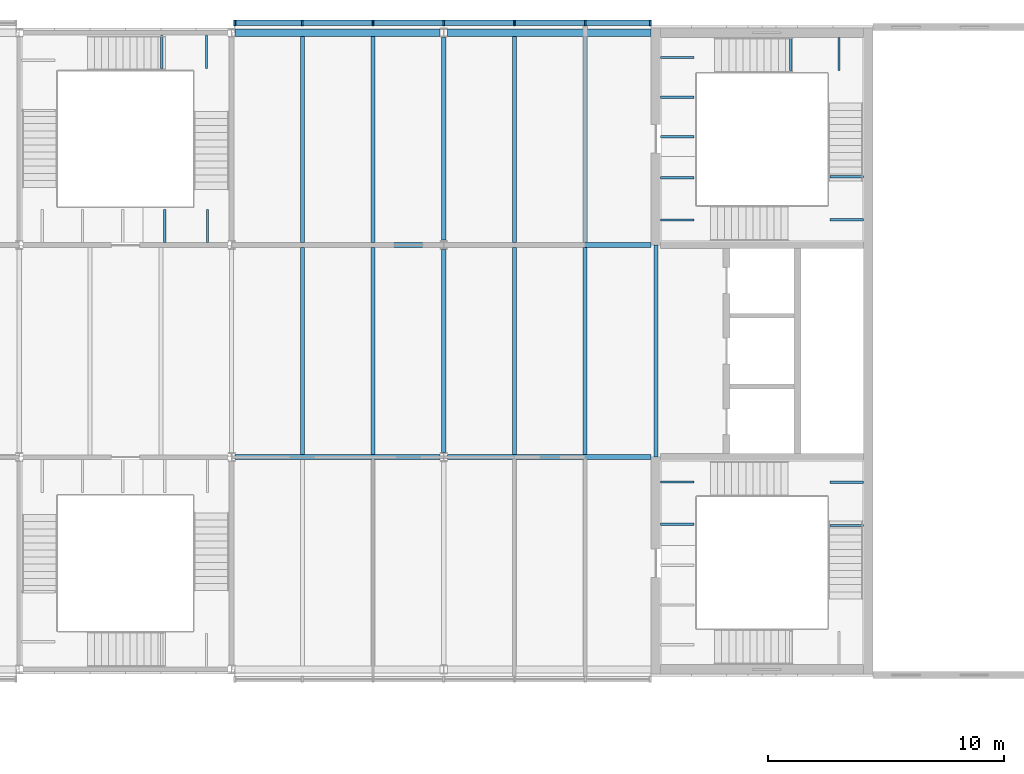
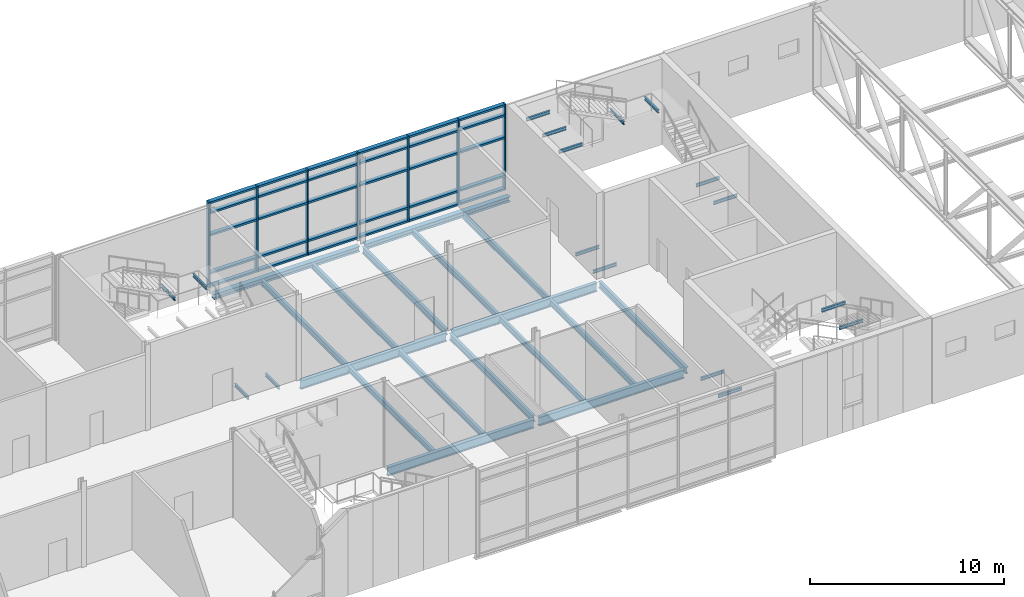
# One storey, part 16 of 53: 37 members, 34 beams, 1 element without a shape of its own.
"""IFC4 building model written with IfcOpenShell, lengths in metres."""

from ifc_helpers import new_model, si_unit, direction, frame, origin, origin_2d, place, context, subcontext, project, spatial, rectangle, i_section, extrude, material, material_profile, profile_set, type_object, element, aggregate, save


model = new_model("IFC4")

# Units and contexts
model_context = context("Model", 3, precision=1e-05, world=origin(), true_north=direction((0.0, 1.0)))
body_context = subcontext(model_context, "Body", "Model", "MODEL_VIEW")
ifc_project = project(units=[si_unit("LENGTHUNIT", "METRE"), si_unit("AREAUNIT", "SQUARE_METRE"), si_unit("VOLUMEUNIT", "CUBIC_METRE"), si_unit("PLANEANGLEUNIT", "RADIAN"), si_unit("MASSUNIT", "GRAM", prefix="KILO")], contexts=[model_context])

# Site, building, storey
site_placement = place(None, origin())
site = spatial("IfcSite", under=ifc_project, at=site_placement, CompositionType="ELEMENT")
building_placement = place(site_placement, origin())
building = spatial("IfcBuilding", under=site, at=building_placement, Name="Azimuth Sports and Learning Centre", CompositionType="ELEMENT")
storey_placement = place(building_placement, frame((0.0, 0.0, 10.800048828125)))
storey = spatial("IfcBuildingStorey", under=building, at=storey_placement, Name="L02", CompositionType="ELEMENT", Elevation=10.800048828125)

# Beams
ifc_material_1 = material(Name="Steel S355", Category="steel")
ifc_material_profile_1 = material_profile(ifc_material_1, i_section(OverallWidth=0.10009765625, OverallDepth=0.199951171875, WebThickness=0.005615234375, FlangeThickness=0.008544921875, FilletRadius=0.011962890625, at=origin_2d()), Name="IPE 200")
ifc_profile_set_1 = profile_set([ifc_material_profile_1], Name="Steel S355")
beam_type_1 = type_object("IfcBeamType", Name="Beam IPE 200", PredefinedType="BEAM", material=ifc_profile_set_1)
for number, where, z_axis, x_axis, name in (
    (1, (54.199951171875, 96.1474609375, -0.300048828125), (1.0, 0.0, 0.0), (0.0, 1.0, 0.0), "Landing bracket W1 L02 17"),
    (2, (54.199951171875, 97.9423828125, -0.300048828125), (1.0, 0.0, 0.0), (0.0, 1.0, 0.0), "Landing bracket W1 L02 18"),
    (3, (62.800048828125, 96.1025390625, 1.5), (-1.0, 0.0, 0.0), (0.0, -1.0, 0.0), "Landing bracket W1 L02 19"),
    (4, (62.800048828125, 97.927490234375, 1.5), (-1.0, 0.0, 0.0), (0.0, -1.0, 0.0), "Landing bracket W1 L02 20"),
    (5, (54.199951171875, 109.0576171875, -0.300048828125), (1.0, 0.0, 0.0), (0.0, 1.0, 0.0), "Landing bracket W2 L02 195"),
    (6, (54.199951171875, 110.8525390625, -0.300048828125), (1.0, 0.0, 0.0), (0.0, 1.0, 0.0), "Landing bracket W2 L02 196"),
    (7, (62.800048828125, 109.072509765625, 1.5), (-1.0, 0.0, 0.0), (0.0, -1.0, 0.0), "Landing bracket W2 L02 197"),
    (8, (62.800048828125, 110.8974609375, 1.5), (-1.0, 0.0, 0.0), (0.0, -1.0, 0.0), "Landing bracket W2 L02 198"),
    (9, (59.715087890625, 116.800048828125, 3.300048828125), (0.0, -1.0, 0.0), (1.0, 0.0, 0.0), "Landing bracket W2 L02 199"),
    (10, (61.764892578125, 116.800048828125, 3.300048828125), (0.0, -1.0, 0.0), (1.0, 0.0, 0.0), "Landing bracket W2 L02 200"),
    (11, (54.199951171875, 112.590087890625, 5.099853515625), (1.0, 0.0, 0.0), (0.0, 1.0, 0.0), "Landing bracket W2 L02 201"),
    (12, (54.199951171875, 114.27001953125, 5.099853515625), (1.0, 0.0, 0.0), (0.0, 1.0, 0.0), "Landing bracket W2 L02 202"),
    (13, (54.199951171875, 115.949951171875, 5.099853515625), (1.0, 0.0, 0.0), (0.0, 1.0, 0.0), "Landing bracket W2 L02 203"),
):
    element("IfcBeam", number, at=place(storey_placement, frame(where, z_axis=z_axis, x_axis=x_axis)), inside=storey, type_object=beam_type_1, Name=name, PredefinedType="BEAM", context=body_context, shape_type="SweptSolid", body=[
        extrude(i_section(OverallWidth=0.10009765625, OverallDepth=0.199951171875, WebThickness=0.005615234375, FlangeThickness=0.008544921875, FilletRadius=0.011962890625, at=origin_2d()), origin(), (0.0, 0.0, 1.0), 1.41015625),
    ])
for number, where, z_axis, x_axis, name in (
    (14, (33.159912109375, 108.10009765625, -0.300048828125), (0.0, 1.0, 0.0), (-1.0, 0.0, 0.0), "Landing bracket WM2 L02 899"),
    (15, (34.97998046875, 108.10009765625, -0.300048828125), (0.0, 1.0, 0.0), (-1.0, 0.0, 0.0), "Landing bracket WM2 L02 900"),
    (16, (33.0400390625, 116.89990234375, 1.5), (0.0, -1.0, 0.0), (1.0, 0.0, 0.0), "Landing bracket WM2 L02 901"),
    (17, (34.93994140625, 116.89990234375, 1.5), (0.0, -1.0, 0.0), (1.0, 0.0, 0.0), "Landing bracket WM2 L02 902"),
):
    element("IfcBeam", number, at=place(storey_placement, frame(where, z_axis=z_axis, x_axis=x_axis)), inside=storey, type_object=beam_type_1, Name=name, PredefinedType="BEAM", context=body_context, shape_type="SweptSolid", body=[
        extrude(i_section(OverallWidth=0.10009765625, OverallDepth=0.199951171875, WebThickness=0.005615234375, FlangeThickness=0.008544921875, FilletRadius=0.011962890625, at=origin_2d()), origin(), (0.0, 0.0, 1.0), 1.409912109375),
    ])
ifc_material_2 = material(Name="Steel S355", Category="steel")
ifc_material_profile_2 = material_profile(ifc_material_2, i_section(OverallWidth=0.179931640625, OverallDepth=0.39990234375, WebThickness=0.008544921875, FlangeThickness=0.013427734375, FilletRadius=0.02099609375, at=origin_2d()), Name="IPE 400")
ifc_profile_set_2 = profile_set([ifc_material_profile_2], Name="Steel S355")
beam_type_2 = type_object("IfcBeamType", Name="Beam IPE 400", PredefinedType="BEAM", material=ifc_profile_set_2)
for number, where, z_axis, x_axis, name in (
    (18, (45.0, 99.199951171875, -0.35009765625), (0.0, 1.0, 0.0), (-1.0, 0.0, 0.0), "Beam L02 WW 24"),
    (19, (45.0, 108.199951171875, -0.35009765625), (0.0, 1.0, 0.0), (-1.0, 0.0, 0.0), "Beam L02 WW 25"),
):
    element("IfcBeam", number, at=place(storey_placement, frame(where, z_axis=z_axis, x_axis=x_axis)), inside=storey, type_object=beam_type_2, Name=name, PredefinedType="BEAM", context=body_context, shape_type="SweptSolid", body=[
        extrude(i_section(OverallWidth=0.179931640625, OverallDepth=0.39990234375, WebThickness=0.008544921875, FlangeThickness=0.013427734375, FilletRadius=0.02099609375, at=origin_2d()), origin(), (0.0, 0.0, 1.0), 8.60009765625),
    ])
beam_1_placement = place(storey_placement, frame((54.0, 99.0, -0.35009765625), z_axis=(0.0, 1.0, 0.0), x_axis=(-1.0, 0.0, 0.0)))
element("IfcBeam", 20, at=beam_1_placement, inside=storey, type_object=beam_type_2, Name="Beam L02 WW 26", PredefinedType="BEAM", context=body_context, shape_type="SweptSolid", body=[
    extrude(i_section(OverallWidth=0.179931640625, OverallDepth=0.39990234375, WebThickness=0.008544921875, FlangeThickness=0.013427734375, FilletRadius=0.02099609375, at=origin_2d()), origin(), (0.0, 0.0, 1.0), 9.0),
])
ifc_material_3 = material(Name="Steel S355", Category="steel")
ifc_material_profile_3 = material_profile(ifc_material_3, i_section(OverallWidth=0.2099609375, OverallDepth=0.550048828125, WebThickness=0.010986328125, FlangeThickness=0.01708984375, FilletRadius=0.02392578125, at=origin_2d()), Name="IPE 550")
ifc_profile_set_3 = profile_set([ifc_material_profile_3], Name="Steel S355")
beam_type_3 = type_object("IfcBeamType", Name="Beam IPE 550", PredefinedType="BEAM", material=ifc_profile_set_3)
beam_2_placement = place(storey_placement, frame((36.14990234375, 99.0, -0.425048828125), z_axis=(1.0, 0.0, 0.0), x_axis=(0.0, 1.0, 0.0)))
element("IfcBeam", 21, at=beam_2_placement, inside=storey, type_object=beam_type_3, Name="Beam L02 WW 7", PredefinedType="BEAM", context=body_context, shape_type="SweptSolid", body=[
    extrude(i_section(OverallWidth=0.2099609375, OverallDepth=0.550048828125, WebThickness=0.010986328125, FlangeThickness=0.01708984375, FilletRadius=0.02392578125, at=origin_2d()), origin(), (0.0, 0.0, 1.0), 8.7001953125),
])
beam_3_placement = place(storey_placement, frame((45.14990234375, 99.0, -0.425048828125), z_axis=(1.0, 0.0, 0.0), x_axis=(0.0, 1.0, 0.0)))
element("IfcBeam", 22, at=beam_3_placement, inside=storey, type_object=beam_type_3, Name="Beam L02 WW 8", PredefinedType="BEAM", context=body_context, shape_type="SweptSolid", body=[
    extrude(i_section(OverallWidth=0.2099609375, OverallDepth=0.550048828125, WebThickness=0.010986328125, FlangeThickness=0.01708984375, FilletRadius=0.02392578125, at=origin_2d()), origin(), (0.0, 0.0, 1.0), 8.650146484375),
])
beam_4_placement = place(storey_placement, frame((36.14990234375, 108.0, -0.425048828125), z_axis=(1.0, 0.0, 0.0), x_axis=(0.0, 1.0, 0.0)))
element("IfcBeam", 23, at=beam_4_placement, inside=storey, type_object=beam_type_3, Name="Beam L02 WW 11", PredefinedType="BEAM", context=body_context, shape_type="SweptSolid", body=[
    extrude(i_section(OverallWidth=0.2099609375, OverallDepth=0.550048828125, WebThickness=0.010986328125, FlangeThickness=0.01708984375, FilletRadius=0.02392578125, at=origin_2d()), origin(), (0.0, 0.0, 1.0), 8.7001953125),
])
beam_5_placement = place(storey_placement, frame((45.14990234375, 108.0, -0.425048828125), z_axis=(1.0, 0.0, 0.0), x_axis=(0.0, 1.0, 0.0)))
element("IfcBeam", 24, at=beam_5_placement, inside=storey, type_object=beam_type_3, Name="Beam L02 WW 12", PredefinedType="BEAM", context=body_context, shape_type="SweptSolid", body=[
    extrude(i_section(OverallWidth=0.2099609375, OverallDepth=0.550048828125, WebThickness=0.010986328125, FlangeThickness=0.01708984375, FilletRadius=0.02392578125, at=origin_2d()), origin(), (0.0, 0.0, 1.0), 8.650146484375),
])
ifc_material_4 = material(Name="Steel S355", Category="steel")
ifc_material_profile_4 = material_profile(ifc_material_4, i_section(OverallWidth=0.300048828125, OverallDepth=0.330078125, WebThickness=0.009521484375, FlangeThickness=0.0166015625, FilletRadius=0.027099609375, at=origin_2d()), Name="HEA 340")
ifc_profile_set_4 = profile_set([ifc_material_profile_4], Name="Steel S355")
beam_type_4 = type_object("IfcBeamType", Name="Edge beam HEA 340", PredefinedType="SPANDREL", material=ifc_profile_set_4)
beam_6_placement = place(storey_placement, frame((36.14990234375, 117.0, -0.31494140625), z_axis=(1.0, 0.0, 0.0), x_axis=(0.0, 1.0, 0.0)))
element("IfcBeam", 25, at=beam_6_placement, inside=storey, type_object=beam_type_4, Name="Edge beam L02 WW 15", PredefinedType="SPANDREL", context=body_context, shape_type="SweptSolid", body=[
    extrude(i_section(OverallWidth=0.300048828125, OverallDepth=0.330078125, WebThickness=0.009521484375, FlangeThickness=0.0166015625, FilletRadius=0.027099609375, at=origin_2d()), origin(), (0.0, 0.0, 1.0), 8.7001953125),
])
beam_7_placement = place(storey_placement, frame((45.14990234375, 117.0, -0.31494140625), z_axis=(1.0, 0.0, 0.0), x_axis=(0.0, 1.0, 0.0)))
element("IfcBeam", 26, at=beam_7_placement, inside=storey, type_object=beam_type_4, Name="Edge beam L02 WW 16", PredefinedType="SPANDREL", context=body_context, shape_type="SweptSolid", body=[
    extrude(i_section(OverallWidth=0.300048828125, OverallDepth=0.330078125, WebThickness=0.009521484375, FlangeThickness=0.0166015625, FilletRadius=0.027099609375, at=origin_2d()), origin(), (0.0, 0.0, 1.0), 8.650146484375),
])
ifc_material_5 = material(Name="Steel S355", Category="steel")
ifc_material_profile_5 = material_profile(ifc_material_5, i_section(OverallWidth=0.169921875, OverallDepth=0.360107421875, WebThickness=0.008056640625, FlangeThickness=0.0126953125, FilletRadius=0.01806640625, at=origin_2d()), Name="IPE 360")
ifc_profile_set_5 = profile_set([ifc_material_profile_5], Name="Steel S355")
beam_type_5 = type_object("IfcBeamType", Name="Joist IPE 360", PredefinedType="JOIST", material=ifc_profile_set_5)
beam_8_placement = place(storey_placement, frame((39.0, 99.10498046875, -0.330078125), z_axis=(0.0, 1.0, 0.0), x_axis=(-1.0, 0.0, 0.0)))
element("IfcBeam", 27, at=beam_8_placement, inside=storey, type_object=beam_type_5, Name="Joist L02 WW 43", PredefinedType="JOIST", context=body_context, shape_type="SweptSolid", body=[
    extrude(i_section(OverallWidth=0.169921875, OverallDepth=0.360107421875, WebThickness=0.008056640625, FlangeThickness=0.0126953125, FilletRadius=0.01806640625, at=origin_2d()), origin(), (0.0, 0.0, 1.0), 8.7900390625),
])
beam_9_placement = place(storey_placement, frame((39.0, 108.10498046875, -0.330078125), z_axis=(0.0, 1.0, 0.0), x_axis=(-1.0, 0.0, 0.0)))
element("IfcBeam", 28, at=beam_9_placement, inside=storey, type_object=beam_type_5, Name="Joist L02 WW 44", PredefinedType="JOIST", context=body_context, shape_type="SweptSolid", body=[
    extrude(i_section(OverallWidth=0.169921875, OverallDepth=0.360107421875, WebThickness=0.008056640625, FlangeThickness=0.0126953125, FilletRadius=0.01806640625, at=origin_2d()), origin(), (0.0, 0.0, 1.0), 8.7451171875),
])
beam_10_placement = place(storey_placement, frame((42.0, 99.10498046875, -0.330078125), z_axis=(0.0, 1.0, 0.0), x_axis=(-1.0, 0.0, 0.0)))
element("IfcBeam", 29, at=beam_10_placement, inside=storey, type_object=beam_type_5, Name="Joist L02 WW 46", PredefinedType="JOIST", context=body_context, shape_type="SweptSolid", body=[
    extrude(i_section(OverallWidth=0.169921875, OverallDepth=0.360107421875, WebThickness=0.008056640625, FlangeThickness=0.0126953125, FilletRadius=0.01806640625, at=origin_2d()), origin(), (0.0, 0.0, 1.0), 8.7900390625),
])
beam_11_placement = place(storey_placement, frame((42.0, 108.10498046875, -0.330078125), z_axis=(0.0, 1.0, 0.0), x_axis=(-1.0, 0.0, 0.0)))
element("IfcBeam", 30, at=beam_11_placement, inside=storey, type_object=beam_type_5, Name="Joist L02 WW 47", PredefinedType="JOIST", context=body_context, shape_type="SweptSolid", body=[
    extrude(i_section(OverallWidth=0.169921875, OverallDepth=0.360107421875, WebThickness=0.008056640625, FlangeThickness=0.0126953125, FilletRadius=0.01806640625, at=origin_2d()), origin(), (0.0, 0.0, 1.0), 8.7451171875),
])
beam_12_placement = place(storey_placement, frame((48.0, 99.10498046875, -0.330078125), z_axis=(0.0, 1.0, 0.0), x_axis=(-1.0, 0.0, 0.0)))
element("IfcBeam", 31, at=beam_12_placement, inside=storey, type_object=beam_type_5, Name="Joist L02 WW 49", PredefinedType="JOIST", context=body_context, shape_type="SweptSolid", body=[
    extrude(i_section(OverallWidth=0.169921875, OverallDepth=0.360107421875, WebThickness=0.008056640625, FlangeThickness=0.0126953125, FilletRadius=0.01806640625, at=origin_2d()), origin(), (0.0, 0.0, 1.0), 8.7900390625),
])
beam_13_placement = place(storey_placement, frame((48.0, 108.10498046875, -0.330078125), z_axis=(0.0, 1.0, 0.0), x_axis=(-1.0, 0.0, 0.0)))
element("IfcBeam", 32, at=beam_13_placement, inside=storey, type_object=beam_type_5, Name="Joist L02 WW 50", PredefinedType="JOIST", context=body_context, shape_type="SweptSolid", body=[
    extrude(i_section(OverallWidth=0.169921875, OverallDepth=0.360107421875, WebThickness=0.008056640625, FlangeThickness=0.0126953125, FilletRadius=0.01806640625, at=origin_2d()), origin(), (0.0, 0.0, 1.0), 8.7451171875),
])
beam_14_placement = place(storey_placement, frame((51.0, 99.10498046875, -0.330078125), z_axis=(0.0, 1.0, 0.0), x_axis=(-1.0, 0.0, 0.0)))
element("IfcBeam", 33, at=beam_14_placement, inside=storey, type_object=beam_type_5, Name="Joist L02 WW 52", PredefinedType="JOIST", context=body_context, shape_type="SweptSolid", body=[
    extrude(i_section(OverallWidth=0.169921875, OverallDepth=0.360107421875, WebThickness=0.008056640625, FlangeThickness=0.0126953125, FilletRadius=0.01806640625, at=origin_2d()), origin(), (0.0, 0.0, 1.0), 8.7900390625),
])
beam_15_placement = place(storey_placement, frame((51.0, 108.10498046875, -0.330078125), z_axis=(0.0, 1.0, 0.0), x_axis=(-1.0, 0.0, 0.0)))
element("IfcBeam", 34, at=beam_15_placement, inside=storey, type_object=beam_type_5, Name="Joist L02 WW 53", PredefinedType="JOIST", context=body_context, shape_type="SweptSolid", body=[
    extrude(i_section(OverallWidth=0.169921875, OverallDepth=0.360107421875, WebThickness=0.008056640625, FlangeThickness=0.0126953125, FilletRadius=0.01806640625, at=origin_2d()), origin(), (0.0, 0.0, 1.0), 8.7451171875),
])

# Curtain wall, members
ifc_material_6 = material(Name="Aluminium and glass", Category="aluminium")
curtain_wall_type = type_object("IfcCurtainWallType", Name="Curtain wall podium wing 240", PredefinedType="NOTDEFINED", material=ifc_material_6)
curtain_wall_placement = place(storey_placement, origin())
curtain_wall = element("IfcCurtainWall", 35, at=curtain_wall_placement, inside=storey, type_object=curtain_wall_type, Name="Curtain wall CW02-013", PredefinedType="NOTDEFINED")
ifc_material_7 = material(Name="Aluminium", Category="aluminium")
ifc_material_profile_6 = material_profile(ifc_material_7, rectangle(XDim=0.239990234375, YDim=0.080078125, at=origin_2d()), Name="Mullion 80x240")
ifc_profile_set_6 = profile_set([ifc_material_profile_6], Name="Aluminium")
member_type_1 = type_object("IfcMemberType", Name="Mullion 80x240", PredefinedType="MULLION", material=ifc_profile_set_6)
member_1_placement = place(storey_placement, frame((53.760009765625, 117.419921875, 0.0), z_axis=(0.0, 0.0, 1.0), x_axis=(0.0, -1.0, 0.0)))
member_1 = element("IfcMember", 36, at=member_1_placement, type_object=member_type_1, Name="CW02-013 mullion 1", PredefinedType="MULLION", context=body_context, shape_type="SweptSolid", body=[
    extrude(rectangle(XDim=0.239990234375, YDim=0.080078125, at=origin_2d()), origin(), (0.0, 0.0, 1.0), 5.39990234375),
])
member_2_placement = place(storey_placement, frame((51.0, 117.419921875, 0.0), z_axis=(0.0, 0.0, 1.0), x_axis=(0.0, -1.0, 0.0)))
member_2 = element("IfcMember", 37, at=member_2_placement, type_object=member_type_1, Name="CW02-013 mullion 2", PredefinedType="MULLION", context=body_context, shape_type="SweptSolid", body=[
    extrude(rectangle(XDim=0.239990234375, YDim=0.080078125, at=origin_2d()), origin(), (0.0, 0.0, 1.0), 5.39990234375),
])
member_3_placement = place(storey_placement, frame((48.0, 117.419921875, 0.0), z_axis=(0.0, 0.0, 1.0), x_axis=(0.0, -1.0, 0.0)))
member_3 = element("IfcMember", 38, at=member_3_placement, type_object=member_type_1, Name="CW02-013 mullion 3", PredefinedType="MULLION", context=body_context, shape_type="SweptSolid", body=[
    extrude(rectangle(XDim=0.239990234375, YDim=0.080078125, at=origin_2d()), origin(), (0.0, 0.0, 1.0), 5.39990234375),
])
member_4_placement = place(storey_placement, frame((45.0, 117.419921875, 0.0), z_axis=(0.0, 0.0, 1.0), x_axis=(0.0, -1.0, 0.0)))
member_4 = element("IfcMember", 39, at=member_4_placement, type_object=member_type_1, Name="CW02-013 mullion 4", PredefinedType="MULLION", context=body_context, shape_type="SweptSolid", body=[
    extrude(rectangle(XDim=0.239990234375, YDim=0.080078125, at=origin_2d()), origin(), (0.0, 0.0, 1.0), 5.39990234375),
])
member_5_placement = place(storey_placement, frame((42.0, 117.419921875, 0.0), z_axis=(0.0, 0.0, 1.0), x_axis=(0.0, -1.0, 0.0)))
member_5 = element("IfcMember", 40, at=member_5_placement, type_object=member_type_1, Name="CW02-013 mullion 5", PredefinedType="MULLION", context=body_context, shape_type="SweptSolid", body=[
    extrude(rectangle(XDim=0.239990234375, YDim=0.080078125, at=origin_2d()), origin(), (0.0, 0.0, 1.0), 5.39990234375),
])
member_6_placement = place(storey_placement, frame((39.0, 117.419921875, 0.0), z_axis=(0.0, 0.0, 1.0), x_axis=(0.0, -1.0, 0.0)))
member_6 = element("IfcMember", 41, at=member_6_placement, type_object=member_type_1, Name="CW02-013 mullion 6", PredefinedType="MULLION", context=body_context, shape_type="SweptSolid", body=[
    extrude(rectangle(XDim=0.239990234375, YDim=0.080078125, at=origin_2d()), origin(), (0.0, 0.0, 1.0), 5.39990234375),
])
member_7_placement = place(storey_placement, frame((36.139892578125, 117.419921875, 0.0), z_axis=(0.0, 0.0, 1.0), x_axis=(0.0, -1.0, 0.0)))
member_7 = element("IfcMember", 42, at=member_7_placement, type_object=member_type_1, Name="CW02-013 mullion 7", PredefinedType="MULLION", context=body_context, shape_type="SweptSolid", body=[
    extrude(rectangle(XDim=0.239990234375, YDim=0.080078125, at=origin_2d()), origin(), (0.0, 0.0, 1.0), 5.39990234375),
])
ifc_material_8 = material(Name="Aluminium", Category="aluminium")
ifc_material_profile_7 = material_profile(ifc_material_8, rectangle(XDim=0.239990234375, YDim=0.1201171875, at=origin_2d()), Name="Transom 120x240")
ifc_profile_set_7 = profile_set([ifc_material_profile_7], Name="Aluminium")
member_type_2 = type_object("IfcMemberType", Name="Transom 120x240", PredefinedType="USERDEFINED", material=ifc_profile_set_7)
member_8_placement = place(storey_placement, frame((53.719970703125, 117.419921875, 0.06005859375), z_axis=(-1.0, 0.0, 0.0), x_axis=(0.0, -1.0, 0.0)))
member_8 = element("IfcMember", 43, at=member_8_placement, type_object=member_type_2, Name="CW02-013 transom 1.1", ObjectType="TRANSOM", PredefinedType="USERDEFINED", context=body_context, shape_type="SweptSolid", body=[
    extrude(rectangle(XDim=0.239990234375, YDim=0.1201171875, at=origin_2d()), origin(), (0.0, 0.0, 1.0), 2.679931640625),
])
member_9_placement = place(storey_placement, frame((53.719970703125, 117.419921875, 0.89990234375), z_axis=(-1.0, 0.0, 0.0), x_axis=(0.0, -1.0, 0.0)))
member_9 = element("IfcMember", 44, at=member_9_placement, type_object=member_type_2, Name="CW02-013 transom 1.2", ObjectType="TRANSOM", PredefinedType="USERDEFINED", context=body_context, shape_type="SweptSolid", body=[
    extrude(rectangle(XDim=0.239990234375, YDim=0.1201171875, at=origin_2d()), origin(), (0.0, 0.0, 1.0), 2.679931640625),
])
member_10_placement = place(storey_placement, frame((53.719970703125, 117.419921875, 3.300048828125), z_axis=(-1.0, 0.0, 0.0), x_axis=(0.0, -1.0, 0.0)))
member_10 = element("IfcMember", 45, at=member_10_placement, type_object=member_type_2, Name="CW02-013 transom 1.3", ObjectType="TRANSOM", PredefinedType="USERDEFINED", context=body_context, shape_type="SweptSolid", body=[
    extrude(rectangle(XDim=0.239990234375, YDim=0.1201171875, at=origin_2d()), origin(), (0.0, 0.0, 1.0), 2.679931640625),
])
member_11_placement = place(storey_placement, frame((53.719970703125, 117.419921875, 4.699951171875), z_axis=(-1.0, 0.0, 0.0), x_axis=(0.0, -1.0, 0.0)))
member_11 = element("IfcMember", 46, at=member_11_placement, type_object=member_type_2, Name="CW02-013 transom 1.4", ObjectType="TRANSOM", PredefinedType="USERDEFINED", context=body_context, shape_type="SweptSolid", body=[
    extrude(rectangle(XDim=0.239990234375, YDim=0.1201171875, at=origin_2d()), origin(), (0.0, 0.0, 1.0), 2.679931640625),
])
member_12_placement = place(storey_placement, frame((53.719970703125, 117.419921875, 5.33984375), z_axis=(-1.0, 0.0, 0.0), x_axis=(0.0, -1.0, 0.0)))
member_12 = element("IfcMember", 47, at=member_12_placement, type_object=member_type_2, Name="CW02-013 transom 1.5", ObjectType="TRANSOM", PredefinedType="USERDEFINED", context=body_context, shape_type="SweptSolid", body=[
    extrude(rectangle(XDim=0.239990234375, YDim=0.1201171875, at=origin_2d()), origin(), (0.0, 0.0, 1.0), 2.679931640625),
])
member_13_placement = place(storey_placement, frame((50.9599609375, 117.419921875, 0.06005859375), z_axis=(-1.0, 0.0, 0.0), x_axis=(0.0, -1.0, 0.0)))
member_13 = element("IfcMember", 48, at=member_13_placement, type_object=member_type_2, Name="CW02-013 transom 2.1", ObjectType="TRANSOM", PredefinedType="USERDEFINED", context=body_context, shape_type="SweptSolid", body=[
    extrude(rectangle(XDim=0.239990234375, YDim=0.1201171875, at=origin_2d()), origin(), (0.0, 0.0, 1.0), 2.919921875),
])
member_14_placement = place(storey_placement, frame((50.9599609375, 117.419921875, 0.89990234375), z_axis=(-1.0, 0.0, 0.0), x_axis=(0.0, -1.0, 0.0)))
member_14 = element("IfcMember", 49, at=member_14_placement, type_object=member_type_2, Name="CW02-013 transom 2.2", ObjectType="TRANSOM", PredefinedType="USERDEFINED", context=body_context, shape_type="SweptSolid", body=[
    extrude(rectangle(XDim=0.239990234375, YDim=0.1201171875, at=origin_2d()), origin(), (0.0, 0.0, 1.0), 2.919921875),
])
member_15_placement = place(storey_placement, frame((50.9599609375, 117.419921875, 3.300048828125), z_axis=(-1.0, 0.0, 0.0), x_axis=(0.0, -1.0, 0.0)))
member_15 = element("IfcMember", 50, at=member_15_placement, type_object=member_type_2, Name="CW02-013 transom 2.3", ObjectType="TRANSOM", PredefinedType="USERDEFINED", context=body_context, shape_type="SweptSolid", body=[
    extrude(rectangle(XDim=0.239990234375, YDim=0.1201171875, at=origin_2d()), origin(), (0.0, 0.0, 1.0), 2.919921875),
])
member_16_placement = place(storey_placement, frame((50.9599609375, 117.419921875, 4.699951171875), z_axis=(-1.0, 0.0, 0.0), x_axis=(0.0, -1.0, 0.0)))
member_16 = element("IfcMember", 51, at=member_16_placement, type_object=member_type_2, Name="CW02-013 transom 2.4", ObjectType="TRANSOM", PredefinedType="USERDEFINED", context=body_context, shape_type="SweptSolid", body=[
    extrude(rectangle(XDim=0.239990234375, YDim=0.1201171875, at=origin_2d()), origin(), (0.0, 0.0, 1.0), 2.919921875),
])
member_17_placement = place(storey_placement, frame((50.9599609375, 117.419921875, 5.33984375), z_axis=(-1.0, 0.0, 0.0), x_axis=(0.0, -1.0, 0.0)))
member_17 = element("IfcMember", 52, at=member_17_placement, type_object=member_type_2, Name="CW02-013 transom 2.5", ObjectType="TRANSOM", PredefinedType="USERDEFINED", context=body_context, shape_type="SweptSolid", body=[
    extrude(rectangle(XDim=0.239990234375, YDim=0.1201171875, at=origin_2d()), origin(), (0.0, 0.0, 1.0), 2.919921875),
])
member_18_placement = place(storey_placement, frame((47.9599609375, 117.419921875, 0.06005859375), z_axis=(-1.0, 0.0, 0.0), x_axis=(0.0, -1.0, 0.0)))
member_18 = element("IfcMember", 53, at=member_18_placement, type_object=member_type_2, Name="CW02-013 transom 3.1", ObjectType="TRANSOM", PredefinedType="USERDEFINED", context=body_context, shape_type="SweptSolid", body=[
    extrude(rectangle(XDim=0.239990234375, YDim=0.1201171875, at=origin_2d()), origin(), (0.0, 0.0, 1.0), 2.919921875),
])
member_19_placement = place(storey_placement, frame((47.9599609375, 117.419921875, 0.89990234375), z_axis=(-1.0, 0.0, 0.0), x_axis=(0.0, -1.0, 0.0)))
member_19 = element("IfcMember", 54, at=member_19_placement, type_object=member_type_2, Name="CW02-013 transom 3.2", ObjectType="TRANSOM", PredefinedType="USERDEFINED", context=body_context, shape_type="SweptSolid", body=[
    extrude(rectangle(XDim=0.239990234375, YDim=0.1201171875, at=origin_2d()), origin(), (0.0, 0.0, 1.0), 2.919921875),
])
member_20_placement = place(storey_placement, frame((47.9599609375, 117.419921875, 3.300048828125), z_axis=(-1.0, 0.0, 0.0), x_axis=(0.0, -1.0, 0.0)))
member_20 = element("IfcMember", 55, at=member_20_placement, type_object=member_type_2, Name="CW02-013 transom 3.3", ObjectType="TRANSOM", PredefinedType="USERDEFINED", context=body_context, shape_type="SweptSolid", body=[
    extrude(rectangle(XDim=0.239990234375, YDim=0.1201171875, at=origin_2d()), origin(), (0.0, 0.0, 1.0), 2.919921875),
])
member_21_placement = place(storey_placement, frame((47.9599609375, 117.419921875, 4.699951171875), z_axis=(-1.0, 0.0, 0.0), x_axis=(0.0, -1.0, 0.0)))
member_21 = element("IfcMember", 56, at=member_21_placement, type_object=member_type_2, Name="CW02-013 transom 3.4", ObjectType="TRANSOM", PredefinedType="USERDEFINED", context=body_context, shape_type="SweptSolid", body=[
    extrude(rectangle(XDim=0.239990234375, YDim=0.1201171875, at=origin_2d()), origin(), (0.0, 0.0, 1.0), 2.919921875),
])
member_22_placement = place(storey_placement, frame((47.9599609375, 117.419921875, 5.33984375), z_axis=(-1.0, 0.0, 0.0), x_axis=(0.0, -1.0, 0.0)))
member_22 = element("IfcMember", 57, at=member_22_placement, type_object=member_type_2, Name="CW02-013 transom 3.5", ObjectType="TRANSOM", PredefinedType="USERDEFINED", context=body_context, shape_type="SweptSolid", body=[
    extrude(rectangle(XDim=0.239990234375, YDim=0.1201171875, at=origin_2d()), origin(), (0.0, 0.0, 1.0), 2.919921875),
])
member_23_placement = place(storey_placement, frame((44.9599609375, 117.419921875, 0.06005859375), z_axis=(-1.0, 0.0, 0.0), x_axis=(0.0, -1.0, 0.0)))
member_23 = element("IfcMember", 58, at=member_23_placement, type_object=member_type_2, Name="CW02-013 transom 4.1", ObjectType="TRANSOM", PredefinedType="USERDEFINED", context=body_context, shape_type="SweptSolid", body=[
    extrude(rectangle(XDim=0.239990234375, YDim=0.1201171875, at=origin_2d()), origin(), (0.0, 0.0, 1.0), 2.919921875),
])
member_24_placement = place(storey_placement, frame((44.9599609375, 117.419921875, 0.89990234375), z_axis=(-1.0, 0.0, 0.0), x_axis=(0.0, -1.0, 0.0)))
member_24 = element("IfcMember", 59, at=member_24_placement, type_object=member_type_2, Name="CW02-013 transom 4.2", ObjectType="TRANSOM", PredefinedType="USERDEFINED", context=body_context, shape_type="SweptSolid", body=[
    extrude(rectangle(XDim=0.239990234375, YDim=0.1201171875, at=origin_2d()), origin(), (0.0, 0.0, 1.0), 2.919921875),
])
member_25_placement = place(storey_placement, frame((44.9599609375, 117.419921875, 3.300048828125), z_axis=(-1.0, 0.0, 0.0), x_axis=(0.0, -1.0, 0.0)))
member_25 = element("IfcMember", 60, at=member_25_placement, type_object=member_type_2, Name="CW02-013 transom 4.3", ObjectType="TRANSOM", PredefinedType="USERDEFINED", context=body_context, shape_type="SweptSolid", body=[
    extrude(rectangle(XDim=0.239990234375, YDim=0.1201171875, at=origin_2d()), origin(), (0.0, 0.0, 1.0), 2.919921875),
])
member_26_placement = place(storey_placement, frame((44.9599609375, 117.419921875, 4.699951171875), z_axis=(-1.0, 0.0, 0.0), x_axis=(0.0, -1.0, 0.0)))
member_26 = element("IfcMember", 61, at=member_26_placement, type_object=member_type_2, Name="CW02-013 transom 4.4", ObjectType="TRANSOM", PredefinedType="USERDEFINED", context=body_context, shape_type="SweptSolid", body=[
    extrude(rectangle(XDim=0.239990234375, YDim=0.1201171875, at=origin_2d()), origin(), (0.0, 0.0, 1.0), 2.919921875),
])
member_27_placement = place(storey_placement, frame((44.9599609375, 117.419921875, 5.33984375), z_axis=(-1.0, 0.0, 0.0), x_axis=(0.0, -1.0, 0.0)))
member_27 = element("IfcMember", 62, at=member_27_placement, type_object=member_type_2, Name="CW02-013 transom 4.5", ObjectType="TRANSOM", PredefinedType="USERDEFINED", context=body_context, shape_type="SweptSolid", body=[
    extrude(rectangle(XDim=0.239990234375, YDim=0.1201171875, at=origin_2d()), origin(), (0.0, 0.0, 1.0), 2.919921875),
])
member_28_placement = place(storey_placement, frame((41.9599609375, 117.419921875, 0.06005859375), z_axis=(-1.0, 0.0, 0.0), x_axis=(0.0, -1.0, 0.0)))
member_28 = element("IfcMember", 63, at=member_28_placement, type_object=member_type_2, Name="CW02-013 transom 5.1", ObjectType="TRANSOM", PredefinedType="USERDEFINED", context=body_context, shape_type="SweptSolid", body=[
    extrude(rectangle(XDim=0.239990234375, YDim=0.1201171875, at=origin_2d()), origin(), (0.0, 0.0, 1.0), 2.919921875),
])
member_29_placement = place(storey_placement, frame((41.9599609375, 117.419921875, 0.89990234375), z_axis=(-1.0, 0.0, 0.0), x_axis=(0.0, -1.0, 0.0)))
member_29 = element("IfcMember", 64, at=member_29_placement, type_object=member_type_2, Name="CW02-013 transom 5.2", ObjectType="TRANSOM", PredefinedType="USERDEFINED", context=body_context, shape_type="SweptSolid", body=[
    extrude(rectangle(XDim=0.239990234375, YDim=0.1201171875, at=origin_2d()), origin(), (0.0, 0.0, 1.0), 2.919921875),
])
member_30_placement = place(storey_placement, frame((41.9599609375, 117.419921875, 3.300048828125), z_axis=(-1.0, 0.0, 0.0), x_axis=(0.0, -1.0, 0.0)))
member_30 = element("IfcMember", 65, at=member_30_placement, type_object=member_type_2, Name="CW02-013 transom 5.3", ObjectType="TRANSOM", PredefinedType="USERDEFINED", context=body_context, shape_type="SweptSolid", body=[
    extrude(rectangle(XDim=0.239990234375, YDim=0.1201171875, at=origin_2d()), origin(), (0.0, 0.0, 1.0), 2.919921875),
])
member_31_placement = place(storey_placement, frame((41.9599609375, 117.419921875, 4.699951171875), z_axis=(-1.0, 0.0, 0.0), x_axis=(0.0, -1.0, 0.0)))
member_31 = element("IfcMember", 66, at=member_31_placement, type_object=member_type_2, Name="CW02-013 transom 5.4", ObjectType="TRANSOM", PredefinedType="USERDEFINED", context=body_context, shape_type="SweptSolid", body=[
    extrude(rectangle(XDim=0.239990234375, YDim=0.1201171875, at=origin_2d()), origin(), (0.0, 0.0, 1.0), 2.919921875),
])
member_32_placement = place(storey_placement, frame((41.9599609375, 117.419921875, 5.33984375), z_axis=(-1.0, 0.0, 0.0), x_axis=(0.0, -1.0, 0.0)))
member_32 = element("IfcMember", 67, at=member_32_placement, type_object=member_type_2, Name="CW02-013 transom 5.5", ObjectType="TRANSOM", PredefinedType="USERDEFINED", context=body_context, shape_type="SweptSolid", body=[
    extrude(rectangle(XDim=0.239990234375, YDim=0.1201171875, at=origin_2d()), origin(), (0.0, 0.0, 1.0), 2.919921875),
])
member_33_placement = place(storey_placement, frame((38.9599609375, 117.419921875, 0.06005859375), z_axis=(-1.0, 0.0, 0.0), x_axis=(0.0, -1.0, 0.0)))
member_33 = element("IfcMember", 68, at=member_33_placement, type_object=member_type_2, Name="CW02-013 transom 6.1", ObjectType="TRANSOM", PredefinedType="USERDEFINED", context=body_context, shape_type="SweptSolid", body=[
    extrude(rectangle(XDim=0.239990234375, YDim=0.1201171875, at=origin_2d()), origin(), (0.0, 0.0, 1.0), 2.780029296875),
])
member_34_placement = place(storey_placement, frame((38.9599609375, 117.419921875, 0.89990234375), z_axis=(-1.0, 0.0, 0.0), x_axis=(0.0, -1.0, 0.0)))
member_34 = element("IfcMember", 69, at=member_34_placement, type_object=member_type_2, Name="CW02-013 transom 6.2", ObjectType="TRANSOM", PredefinedType="USERDEFINED", context=body_context, shape_type="SweptSolid", body=[
    extrude(rectangle(XDim=0.239990234375, YDim=0.1201171875, at=origin_2d()), origin(), (0.0, 0.0, 1.0), 2.780029296875),
])
member_35_placement = place(storey_placement, frame((38.9599609375, 117.419921875, 3.300048828125), z_axis=(-1.0, 0.0, 0.0), x_axis=(0.0, -1.0, 0.0)))
member_35 = element("IfcMember", 70, at=member_35_placement, type_object=member_type_2, Name="CW02-013 transom 6.3", ObjectType="TRANSOM", PredefinedType="USERDEFINED", context=body_context, shape_type="SweptSolid", body=[
    extrude(rectangle(XDim=0.239990234375, YDim=0.1201171875, at=origin_2d()), origin(), (0.0, 0.0, 1.0), 2.780029296875),
])
member_36_placement = place(storey_placement, frame((38.9599609375, 117.419921875, 4.699951171875), z_axis=(-1.0, 0.0, 0.0), x_axis=(0.0, -1.0, 0.0)))
member_36 = element("IfcMember", 71, at=member_36_placement, type_object=member_type_2, Name="CW02-013 transom 6.4", ObjectType="TRANSOM", PredefinedType="USERDEFINED", context=body_context, shape_type="SweptSolid", body=[
    extrude(rectangle(XDim=0.239990234375, YDim=0.1201171875, at=origin_2d()), origin(), (0.0, 0.0, 1.0), 2.780029296875),
])
member_37_placement = place(storey_placement, frame((38.9599609375, 117.419921875, 5.33984375), z_axis=(-1.0, 0.0, 0.0), x_axis=(0.0, -1.0, 0.0)))
member_37 = element("IfcMember", 72, at=member_37_placement, type_object=member_type_2, Name="CW02-013 transom 6.5", ObjectType="TRANSOM", PredefinedType="USERDEFINED", context=body_context, shape_type="SweptSolid", body=[
    extrude(rectangle(XDim=0.239990234375, YDim=0.1201171875, at=origin_2d()), origin(), (0.0, 0.0, 1.0), 2.780029296875),
])
aggregate(curtain_wall, [member_1, member_2, member_3, member_4, member_5, member_6, member_7, member_8, member_9, member_10, member_11, member_12, member_13, member_14, member_15, member_16, member_17, member_18, member_19, member_20, member_21, member_22, member_23, member_24, member_25, member_26, member_27, member_28, member_29, member_30, member_31, member_32, member_33, member_34, member_35, member_36, member_37])

save(model, "model.ifc")
